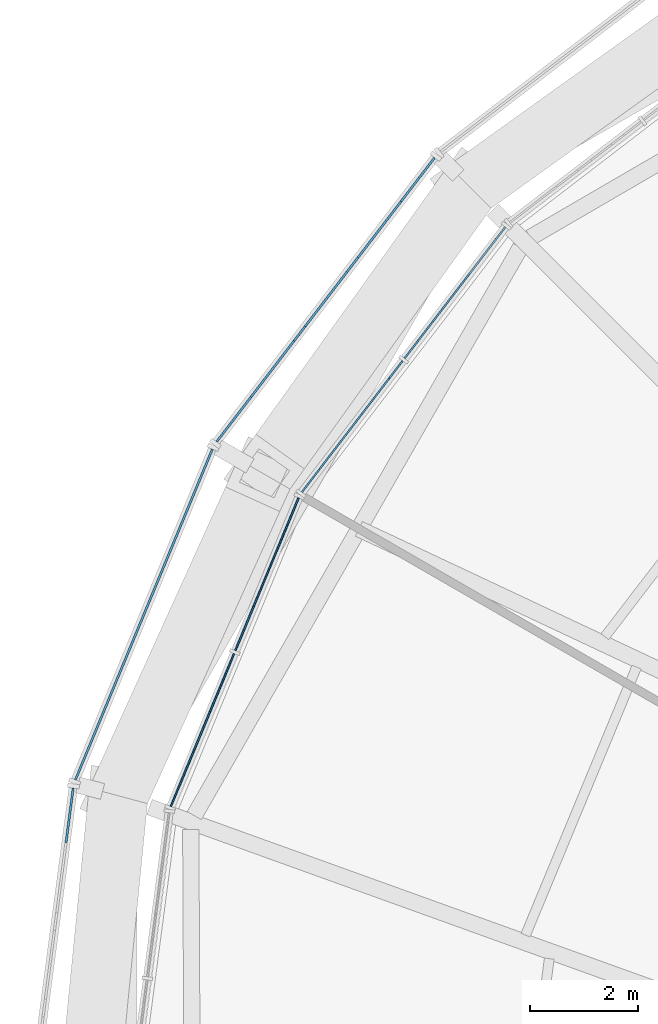
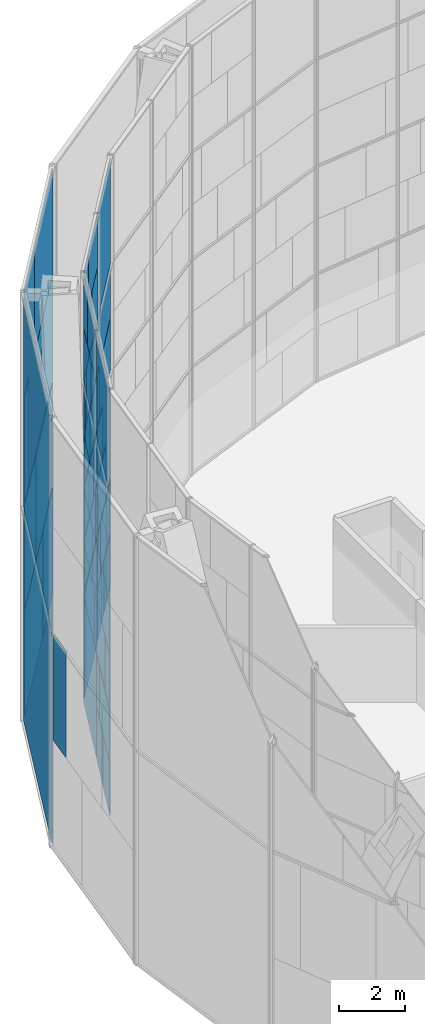
# One storey, part 21 of 30: 63 plates, 5 elements without a shape of their own.
"""IFC4 building model written with IfcOpenShell, lengths in metres."""

from ifc_helpers import new_model, si_unit, direction, frame, origin, origin_2d, place, context, subcontext, project, spatial, rectangle, extrude, material, layer, layer_set, type_object, element, aggregate, save


model = new_model("IFC4")

# Units and contexts
model_context = context("Model", 3, precision=1e-05, world=origin(), true_north=direction((0.0, 1.0)))
body_context = subcontext(model_context, "Body", "Model", "MODEL_VIEW")
ifc_project = project(units=[si_unit("LENGTHUNIT", "METRE"), si_unit("AREAUNIT", "SQUARE_METRE"), si_unit("VOLUMEUNIT", "CUBIC_METRE"), si_unit("PLANEANGLEUNIT", "RADIAN"), si_unit("MASSUNIT", "GRAM", prefix="KILO")], contexts=[model_context])

# Site, building, storey
site_placement = place(None, origin())
site = spatial("IfcSite", under=ifc_project, at=site_placement, CompositionType="ELEMENT")
building_placement = place(site_placement, origin())
building = spatial("IfcBuilding", under=site, at=building_placement, Name="Golbaran Civic Tower", CompositionType="ELEMENT")
storey_placement = place(building_placement, frame((0.0, 0.0, 167.0)))
storey = spatial("IfcBuildingStorey", under=building, at=storey_placement, Name="L40", CompositionType="ELEMENT", Elevation=167.0)

# Curtain wall, plates
ifc_material_1 = material(Name="Aluminium and glass", Category="aluminium")
curtain_wall_type_1 = type_object("IfcCurtainWallType", Name="INNER SKIN CURTAIN WALL EXECUTIVE", PredefinedType="NOTDEFINED", material=ifc_material_1)
curtain_wall_1_placement = place(storey_placement, origin())
curtain_wall_1 = element("IfcCurtainWall", 1, at=curtain_wall_1_placement, inside=storey, type_object=curtain_wall_type_1, Name="Inner skin L40 facet 10 CW2", ObjectType="INNER SKIN", PredefinedType="USERDEFINED")
ifc_material_2 = material(Name="Clear insulating glass", Category="glass")
ifc_layer_1 = layer(ifc_material_2, 0.031982421875, Name="Clear insulating glass")
ifc_layer_set_1 = layer_set([ifc_layer_1], Name="Clear insulating glass")
plate_type_1 = type_object("IfcPlateType", Name="INNER SKIN CURTAIN WALL EXECUTIVE GLAZED PANEL", PredefinedType="CURTAIN_PANEL", material=ifc_layer_set_1)
plate_1_placement = place(storey_placement, frame((-18.474365234375, 15.14599609375, 0.06005859375), z_axis=(0.0, 0.0, 1.0), x_axis=(-0.608761429036, -0.79335334027, 0.0)))
plate_1 = element("IfcPlate", 2, at=plate_1_placement, type_object=plate_type_1, Name="CW2 panel 1.1 part 2", PredefinedType="CURTAIN_PANEL", context=body_context, shape_type="SweptSolid", body=[
    extrude(rectangle(XDim=1.4794921875, YDim=0.031982421875, at=origin_2d()), origin(), (0.0, 0.0, 1.0), 1.955078125),
])
plate_2_placement = place(storey_placement, frame((-18.716552734375, 14.830322265625, 2.014892578125), z_axis=(0.0, 0.0, 1.0), x_axis=(-0.608761429036, -0.79335334027, 0.0)))
plate_2 = element("IfcPlate", 3, at=plate_2_placement, type_object=plate_type_1, Name="CW2 panel 1.1 part 4", PredefinedType="CURTAIN_PANEL", context=body_context, shape_type="SweptSolid", body=[
    extrude(rectangle(XDim=0.683349609375, YDim=0.031982421875, at=origin_2d()), origin(), (0.0, 0.0, 1.0), 1.955078125),
])
plate_3_placement = place(storey_placement, frame((-17.873046875, 15.9296875, 8.02978515625), z_axis=(0.0, 0.0, 1.0), x_axis=(-0.608761429036, -0.79335334027, 0.0)))
plate_3 = element("IfcPlate", 4, at=plate_3_placement, type_object=plate_type_1, Name="CW2 panel 1.3 part 1", PredefinedType="CURTAIN_PANEL", context=body_context, shape_type="SweptSolid", body=[
    extrude(rectangle(XDim=2.652099609375, YDim=0.031982421875, at=origin_2d()), origin(), (0.0, 0.0, 1.0), 1.969970703125),
])
plate_4_placement = place(storey_placement, frame((-17.9951171875, 15.7705078125, 10.0), z_axis=(0.0, 0.0, 1.0), x_axis=(-0.608761429036, -0.79335334027, 0.0)))
plate_4 = element("IfcPlate", 5, at=plate_4_placement, type_object=plate_type_1, Name="CW2 panel 1.3 part 3", PredefinedType="CURTAIN_PANEL", context=body_context, shape_type="SweptSolid", body=[
    extrude(rectangle(XDim=3.053466796875, YDim=0.031982421875, at=origin_2d()), origin(), (0.0, 0.0, 1.0), 1.969970703125),
])
plate_5_placement = place(storey_placement, frame((-17.9951171875, 15.7705078125, 12.0302734375), z_axis=(0.0, 0.0, 1.0), x_axis=(-0.608761429036, -0.79335334027, 0.0)))
plate_5 = element("IfcPlate", 6, at=plate_5_placement, type_object=plate_type_1, Name="CW2 panel 1.4", PredefinedType="CURTAIN_PANEL", context=body_context, shape_type="SweptSolid", body=[
    extrude(rectangle(XDim=3.053466796875, YDim=0.031982421875, at=origin_2d()), origin(), (0.0, 0.0, 1.0), 3.909912109375),
])
plate_6_placement = place(storey_placement, frame((-19.890625, 13.30029296875, 0.06005859375), z_axis=(0.0, 0.0, 1.0), x_axis=(-0.608761429036, -0.79335334027, 0.0)))
plate_6 = element("IfcPlate", 7, at=plate_6_placement, type_object=plate_type_1, Name="CW2 panel 2.1", PredefinedType="CURTAIN_PANEL", context=body_context, shape_type="SweptSolid", body=[
    extrude(rectangle(XDim=3.053466796875, YDim=0.031982421875, at=origin_2d()), origin(), (0.0, 0.0, 1.0), 3.909912109375),
])
plate_7_placement = place(storey_placement, frame((-20.0126953125, 13.141357421875, 4.02978515625), z_axis=(0.0, 0.0, 1.0), x_axis=(-0.608761429036, -0.79335334027, 0.0)))
plate_7 = element("IfcPlate", 8, at=plate_7_placement, type_object=plate_type_1, Name="CW2 panel 2.2 part 2", PredefinedType="CURTAIN_PANEL", context=body_context, shape_type="SweptSolid", body=[
    extrude(rectangle(XDim=2.65234375, YDim=0.031982421875, at=origin_2d()), origin(), (0.0, 0.0, 1.0), 1.969970703125),
])
plate_8_placement = place(storey_placement, frame((-20.159912109375, 12.94921875, 6.0), z_axis=(0.0, 0.0, 1.0), x_axis=(-0.608761429036, -0.79335334027, 0.0)))
plate_8 = element("IfcPlate", 9, at=plate_8_placement, type_object=plate_type_1, Name="CW2 panel 2.2 part 4", PredefinedType="CURTAIN_PANEL", context=body_context, shape_type="SweptSolid", body=[
    extrude(rectangle(XDim=2.16845703125, YDim=0.031982421875, at=origin_2d()), origin(), (0.0, 0.0, 1.0), 1.969970703125),
])
plate_9_placement = place(storey_placement, frame((-20.411376953125, 12.62158203125, 8.02978515625), z_axis=(0.0, 0.0, 1.0), x_axis=(-0.608761429036, -0.79335334027, 0.0)))
plate_9 = element("IfcPlate", 10, at=plate_9_placement, type_object=plate_type_1, Name="CW2 panel 2.3 part 2", PredefinedType="CURTAIN_PANEL", context=body_context, shape_type="SweptSolid", body=[
    extrude(rectangle(XDim=1.342529296875, YDim=0.031982421875, at=origin_2d()), origin(), (0.0, 0.0, 1.0), 1.969970703125),
])
plate_10_placement = place(storey_placement, frame((-19.0849609375, 14.35009765625, 10.0), z_axis=(0.0, 0.0, 1.0), x_axis=(-0.608761429036, -0.79335334027, 0.0)))
plate_10 = element("IfcPlate", 11, at=plate_10_placement, type_object=plate_type_1, Name="CW2 panel 2.3 part 3", PredefinedType="CURTAIN_PANEL", context=body_context, shape_type="SweptSolid", body=[
    extrude(rectangle(XDim=0.406982421875, YDim=0.031982421875, at=origin_2d()), origin(), (0.0, 0.0, 1.0), 1.969970703125),
])
plate_11_placement = place(storey_placement, frame((-20.65576171875, 12.302978515625, 10.0), z_axis=(0.0, 0.0, 1.0), x_axis=(-0.608761429036, -0.79335334027, 0.0)))
plate_11 = element("IfcPlate", 12, at=plate_11_placement, type_object=plate_type_1, Name="CW2 panel 2.3 part 5", PredefinedType="CURTAIN_PANEL", context=body_context, shape_type="SweptSolid", body=[
    extrude(rectangle(XDim=0.53955078125, YDim=0.031982421875, at=origin_2d()), origin(), (0.0, 0.0, 1.0), 1.969970703125),
])
plate_12_placement = place(storey_placement, frame((-19.336669921875, 14.02197265625, 12.030029296875), z_axis=(0.0, 0.0, 1.0), x_axis=(-0.608761429036, -0.79335334027, 0.0)))
plate_12 = element("IfcPlate", 13, at=plate_12_placement, type_object=plate_type_1, Name="CW2 panel 2.4 part 1", PredefinedType="CURTAIN_PANEL", context=body_context, shape_type="SweptSolid", body=[
    extrude(rectangle(XDim=1.23388671875, YDim=0.031982421875, at=origin_2d()), origin(), (0.0, 0.0, 1.0), 1.955078125),
])
plate_13_placement = place(storey_placement, frame((-19.5791015625, 13.706298828125, 13.98486328125), z_axis=(0.0, 0.0, 1.0), x_axis=(-0.608761429036, -0.79335334027, 0.0)))
plate_13 = element("IfcPlate", 14, at=plate_13_placement, type_object=plate_type_1, Name="CW2 panel 2.4 part 3", PredefinedType="CURTAIN_PANEL", context=body_context, shape_type="SweptSolid", body=[
    extrude(rectangle(XDim=2.030029296875, YDim=0.031982421875, at=origin_2d()), origin(), (0.0, 0.0, 1.0), 1.955078125),
])

curtain_wall_2_placement = place(storey_placement, origin())
curtain_wall_2 = element("IfcCurtainWall", 15, at=curtain_wall_2_placement, inside=storey, type_object=curtain_wall_type_1, Name="Inner skin L40 facet 11 CW2", ObjectType="INNER SKIN", PredefinedType="USERDEFINED")
plate_14_placement = place(storey_placement, frame((-21.463623046875, 10.575439453125, 0.06005859375), z_axis=(0.0, 0.0, 1.0), x_axis=(-0.382683432462, -0.923879532471, 0.0)))
plate_14 = element("IfcPlate", 16, at=plate_14_placement, type_object=plate_type_1, Name="CW2 panel 1.1", PredefinedType="CURTAIN_PANEL", context=body_context, shape_type="SweptSolid", body=[
    extrude(rectangle(XDim=3.053466796875, YDim=0.031982421875, at=origin_2d()), origin(), (0.0, 0.0, 1.0), 3.909912109375),
])
plate_15_placement = place(storey_placement, frame((-21.386962890625, 10.760986328125, 4.02978515625), z_axis=(0.0, 0.0, 1.0), x_axis=(-0.382683432462, -0.923879532471, 0.0)))
plate_15 = element("IfcPlate", 17, at=plate_15_placement, type_object=plate_type_1, Name="CW2 panel 1.2 part 1", PredefinedType="CURTAIN_PANEL", context=body_context, shape_type="SweptSolid", body=[
    extrude(rectangle(XDim=2.652099609375, YDim=0.031982421875, at=origin_2d()), origin(), (0.0, 0.0, 1.0), 1.969970703125),
])
plate_16_placement = place(storey_placement, frame((-21.29443359375, 10.984130859375, 6.0), z_axis=(0.0, 0.0, 1.0), x_axis=(-0.382683432462, -0.923879532471, 0.0)))
plate_16 = element("IfcPlate", 18, at=plate_16_placement, type_object=plate_type_1, Name="CW2 panel 1.2 part 3", PredefinedType="CURTAIN_PANEL", context=body_context, shape_type="SweptSolid", body=[
    extrude(rectangle(XDim=2.1689453125, YDim=0.031982421875, at=origin_2d()), origin(), (0.0, 0.0, 1.0), 1.969970703125),
])
plate_17_placement = place(storey_placement, frame((-21.13623046875, 11.3662109375, 8.02978515625), z_axis=(0.0, 0.0, 1.0), x_axis=(-0.382683432462, -0.923879532471, 0.0)))
plate_17 = element("IfcPlate", 19, at=plate_17_placement, type_object=plate_type_1, Name="CW2 panel 1.3 part 1", PredefinedType="CURTAIN_PANEL", context=body_context, shape_type="SweptSolid", body=[
    extrude(rectangle(XDim=1.342041015625, YDim=0.031982421875, at=origin_2d()), origin(), (0.0, 0.0, 1.0), 1.969970703125),
])
plate_18_placement = place(storey_placement, frame((-20.982666015625, 11.736572265625, 10.0), z_axis=(0.0, 0.0, 1.0), x_axis=(-0.382683432462, -0.923879532471, 0.0)))
plate_18 = element("IfcPlate", 20, at=plate_18_placement, type_object=plate_type_1, Name="CW2 panel 1.3 part 3", PredefinedType="CURTAIN_PANEL", context=body_context, shape_type="SweptSolid", body=[
    extrude(rectangle(XDim=0.5400390625, YDim=0.031982421875, at=origin_2d()), origin(), (0.0, 0.0, 1.0), 1.969970703125),
])
plate_19_placement = place(storey_placement, frame((-21.969970703125, 9.353271484375, 10.0), z_axis=(0.0, 0.0, 1.0), x_axis=(-0.382683432462, -0.923879532471, 0.0)))
plate_19 = element("IfcPlate", 21, at=plate_19_placement, type_object=plate_type_1, Name="CW2 panel 1.3 part 5", PredefinedType="CURTAIN_PANEL", context=body_context, shape_type="SweptSolid", body=[
    extrude(rectangle(XDim=0.407470703125, YDim=0.031982421875, at=origin_2d()), origin(), (0.0, 0.0, 1.0), 1.969970703125),
])
plate_20_placement = place(storey_placement, frame((-21.81201171875, 9.73486328125, 12.030029296875), z_axis=(0.0, 0.0, 1.0), x_axis=(-0.382683432462, -0.923879532471, 0.0)))
plate_20 = element("IfcPlate", 22, at=plate_20_placement, type_object=plate_type_1, Name="CW2 panel 1.4 part 2", PredefinedType="CURTAIN_PANEL", context=body_context, shape_type="SweptSolid", body=[
    extrude(rectangle(XDim=1.2333984375, YDim=0.031982421875, at=origin_2d()), origin(), (0.0, 0.0, 1.0), 1.955078125),
])
plate_21_placement = place(storey_placement, frame((-21.65966796875, 10.1025390625, 13.98486328125), z_axis=(0.0, 0.0, 1.0), x_axis=(-0.382683432462, -0.923879532471, 0.0)))
plate_21 = element("IfcPlate", 23, at=plate_21_placement, type_object=plate_type_1, Name="CW2 panel 1.4 part 4", PredefinedType="CURTAIN_PANEL", context=body_context, shape_type="SweptSolid", body=[
    extrude(rectangle(XDim=2.029541015625, YDim=0.031982421875, at=origin_2d()), origin(), (0.0, 0.0, 1.0), 1.955078125),
])
plate_22_placement = place(storey_placement, frame((-22.35400390625, 8.426025390625, 0.06005859375), z_axis=(0.0, 0.0, 1.0), x_axis=(-0.382683432462, -0.923879532471, 0.0)))
plate_22 = element("IfcPlate", 24, at=plate_22_placement, type_object=plate_type_1, Name="CW2 panel 2.1 part 1", PredefinedType="CURTAIN_PANEL", context=body_context, shape_type="SweptSolid", body=[
    extrude(rectangle(XDim=1.47998046875, YDim=0.031982421875, at=origin_2d()), origin(), (0.0, 0.0, 1.0), 1.955078125),
])
plate_23_placement = place(storey_placement, frame((-22.201904296875, 8.793701171875, 2.014892578125), z_axis=(0.0, 0.0, 1.0), x_axis=(-0.382683432462, -0.923879532471, 0.0)))
plate_23 = element("IfcPlate", 25, at=plate_23_placement, type_object=plate_type_1, Name="CW2 panel 2.1 part 3", PredefinedType="CURTAIN_PANEL", context=body_context, shape_type="SweptSolid", body=[
    extrude(rectangle(XDim=0.68408203125, YDim=0.031982421875, at=origin_2d()), origin(), (0.0, 0.0, 1.0), 1.955078125),
])
plate_24_placement = place(storey_placement, frame((-23.031005859375, 6.791748046875, 4.02978515625), z_axis=(0.0, 0.0, 1.0), x_axis=(-0.382683432462, -0.923879532471, 0.0)))
plate_24 = element("IfcPlate", 26, at=plate_24_placement, type_object=plate_type_1, Name="CW2 panel 2.2 part 2", PredefinedType="CURTAIN_PANEL", context=body_context, shape_type="SweptSolid", body=[
    extrude(rectangle(XDim=1.08935546875, YDim=0.031982421875, at=origin_2d()), origin(), (0.0, 0.0, 1.0), 1.969970703125),
])
plate_25_placement = place(storey_placement, frame((-22.87744140625, 7.162841796875, 6.0), z_axis=(0.0, 0.0, 1.0), x_axis=(-0.382683432462, -0.923879532471, 0.0)))
plate_25 = element("IfcPlate", 27, at=plate_25_placement, type_object=plate_type_1, Name="CW2 panel 2.2 part 4", PredefinedType="CURTAIN_PANEL", context=body_context, shape_type="SweptSolid", body=[
    extrude(rectangle(XDim=1.892578125, YDim=0.031982421875, at=origin_2d()), origin(), (0.0, 0.0, 1.0), 1.969970703125),
])
plate_26_placement = place(storey_placement, frame((-22.73193359375, 7.513916015625, 8.02978515625), z_axis=(0.0, 0.0, 1.0), x_axis=(-0.382683432462, -0.923879532471, 0.0)))
plate_26 = element("IfcPlate", 28, at=plate_26_placement, type_object=plate_type_1, Name="CW2 panel 2.3 part 2", PredefinedType="CURTAIN_PANEL", context=body_context, shape_type="SweptSolid", body=[
    extrude(rectangle(XDim=2.65234375, YDim=0.031982421875, at=origin_2d()), origin(), (0.0, 0.0, 1.0), 1.969970703125),
])
plate_27_placement = place(storey_placement, frame((-22.6552734375, 7.698974609375, 10.0), z_axis=(0.0, 0.0, 1.0), x_axis=(-0.382683432462, -0.923879532471, 0.0)))
plate_27 = element("IfcPlate", 29, at=plate_27_placement, type_object=plate_type_1, Name="CW2 panel 2.3 part 3", PredefinedType="CURTAIN_PANEL", context=body_context, shape_type="SweptSolid", body=[
    extrude(rectangle(XDim=3.053466796875, YDim=0.031982421875, at=origin_2d()), origin(), (0.0, 0.0, 1.0), 1.969970703125),
])
plate_28_placement = place(storey_placement, frame((-22.6552734375, 7.698974609375, 12.0302734375), z_axis=(0.0, 0.0, 1.0), x_axis=(-0.382683432462, -0.923879532471, 0.0)))
plate_28 = element("IfcPlate", 30, at=plate_28_placement, type_object=plate_type_1, Name="CW2 panel 2.4", PredefinedType="CURTAIN_PANEL", context=body_context, shape_type="SweptSolid", body=[
    extrude(rectangle(XDim=3.053466796875, YDim=0.031982421875, at=origin_2d()), origin(), (0.0, 0.0, 1.0), 3.909912109375),
])

# Plate
ifc_material_3 = material(Name="Aluminium faced opaque infill panel", Category="aluminium")
ifc_layer_2 = layer(ifc_material_3, 0.031982421875, Name="Aluminium faced opaque infill panel")
ifc_layer_set_2 = layer_set([ifc_layer_2], Name="Aluminium faced opaque infill panel")
plate_type_2 = type_object("IfcPlateType", Name="INNER SKIN CURTAIN WALL EXECUTIVE OPAQUE INFILL PANEL", PredefinedType="CURTAIN_PANEL", material=ifc_layer_set_2)
plate_29_placement = place(storey_placement, frame((-17.544921875, 16.357177734375, 0.06005859375), z_axis=(0.0, 0.0, 1.0), x_axis=(-0.608761429036, -0.79335334027, 0.0)))
plate_29 = element("IfcPlate", 31, at=plate_29_placement, type_object=plate_type_2, Name="CW2 infill panel 1.1 part 1", PredefinedType="CURTAIN_PANEL", context=body_context, shape_type="SweptSolid", body=[
    extrude(rectangle(XDim=1.573974609375, YDim=0.031982421875, at=origin_2d()), origin(), (0.0, 0.0, 1.0), 1.955078125),
])

plate_30_placement = place(storey_placement, frame((-17.787109375, 16.04150390625, 2.014892578125), z_axis=(0.0, 0.0, 1.0), x_axis=(-0.608761429036, -0.79335334027, 0.0)))
plate_30 = element("IfcPlate", 32, at=plate_30_placement, type_object=plate_type_2, Name="CW2 infill panel 1.1 part 3", PredefinedType="CURTAIN_PANEL", context=body_context, shape_type="SweptSolid", body=[
    extrude(rectangle(XDim=2.3701171875, YDim=0.031982421875, at=origin_2d()), origin(), (0.0, 0.0, 1.0), 1.955078125),
])

plate_31_placement = place(storey_placement, frame((-18.326904296875, 15.338134765625, 4.02978515625), z_axis=(0.0, 0.0, 1.0), x_axis=(-0.608761429036, -0.79335334027, 0.0)))
plate_31 = element("IfcPlate", 33, at=plate_31_placement, type_object=plate_type_2, Name="CW2 infill panel 1.2 part 2", PredefinedType="CURTAIN_PANEL", context=body_context, shape_type="SweptSolid", body=[
    extrude(rectangle(XDim=1.96337890625, YDim=0.031982421875, at=origin_2d()), origin(), (0.0, 0.0, 1.0), 1.969970703125),
])

plate_32_placement = place(storey_placement, frame((-18.571044921875, 15.02001953125, 6.0), z_axis=(0.0, 0.0, 1.0), x_axis=(-0.608761429036, -0.79335334027, 0.0)))
plate_32 = element("IfcPlate", 34, at=plate_32_placement, type_object=plate_type_2, Name="CW2 infill panel 1.2 part 4", PredefinedType="CURTAIN_PANEL", context=body_context, shape_type="SweptSolid", body=[
    extrude(rectangle(XDim=1.161376953125, YDim=0.031982421875, at=origin_2d()), origin(), (0.0, 0.0, 1.0), 1.969970703125),
])

plate_33_placement = place(storey_placement, frame((-18.802490234375, 14.718505859375, 8.02978515625), z_axis=(0.0, 0.0, 1.0), x_axis=(-0.608761429036, -0.79335334027, 0.0)))
plate_33 = element("IfcPlate", 35, at=plate_33_placement, type_object=plate_type_2, Name="CW2 infill panel 1.3 part 2", PredefinedType="CURTAIN_PANEL", context=body_context, shape_type="SweptSolid", body=[
    extrude(rectangle(XDim=0.4013671875, YDim=0.031982421875, at=origin_2d()), origin(), (0.0, 0.0, 1.0), 1.969970703125),
])

plate_34_placement = place(storey_placement, frame((-19.083251953125, 14.3525390625, 4.02978515625), z_axis=(0.0, 0.0, 1.0), x_axis=(-0.608761429036, -0.79335334027, 0.0)))
plate_34 = element("IfcPlate", 36, at=plate_34_placement, type_object=plate_type_2, Name="CW2 infill panel 2.2 part 1", PredefinedType="CURTAIN_PANEL", context=body_context, shape_type="SweptSolid", body=[
    extrude(rectangle(XDim=0.40087890625, YDim=0.031982421875, at=origin_2d()), origin(), (0.0, 0.0, 1.0), 1.969970703125),
])

plate_35_placement = place(storey_placement, frame((-19.23046875, 14.160400390625, 6.0), z_axis=(0.0, 0.0, 1.0), x_axis=(-0.608761429036, -0.79335334027, 0.0)))
plate_35 = element("IfcPlate", 37, at=plate_35_placement, type_object=plate_type_2, Name="CW2 infill panel 2.2 part 3", PredefinedType="CURTAIN_PANEL", context=body_context, shape_type="SweptSolid", body=[
    extrude(rectangle(XDim=0.885009765625, YDim=0.031982421875, at=origin_2d()), origin(), (0.0, 0.0, 1.0), 1.969970703125),
])

plate_36_placement = place(storey_placement, frame((-19.48193359375, 13.832763671875, 8.02978515625), z_axis=(0.0, 0.0, 1.0), x_axis=(-0.608761429036, -0.79335334027, 0.0)))
plate_36 = element("IfcPlate", 38, at=plate_36_placement, type_object=plate_type_2, Name="CW2 infill panel 2.3 part 1", PredefinedType="CURTAIN_PANEL", context=body_context, shape_type="SweptSolid", body=[
    extrude(rectangle(XDim=1.7109375, YDim=0.031982421875, at=origin_2d()), origin(), (0.0, 0.0, 1.0), 1.969970703125),
])

plate_37_placement = place(storey_placement, frame((-19.850341796875, 13.352783203125, 10.0), z_axis=(0.0, 0.0, 1.0), x_axis=(-0.608761429036, -0.79335334027, 0.0)))
plate_37 = element("IfcPlate", 39, at=plate_37_placement, type_object=plate_type_2, Name="CW2 infill panel 2.3 part 4", PredefinedType="CURTAIN_PANEL", context=body_context, shape_type="SweptSolid", body=[
    extrude(rectangle(XDim=2.10693359375, YDim=0.031982421875, at=origin_2d()), origin(), (0.0, 0.0, 1.0), 1.969970703125),
])

plate_38_placement = place(storey_placement, frame((-20.26611328125, 12.810791015625, 12.030029296875), z_axis=(0.0, 0.0, 1.0), x_axis=(-0.608761429036, -0.79335334027, 0.0)))
plate_38 = element("IfcPlate", 40, at=plate_38_placement, type_object=plate_type_2, Name="CW2 infill panel 2.4 part 2", PredefinedType="CURTAIN_PANEL", context=body_context, shape_type="SweptSolid", body=[
    extrude(rectangle(XDim=1.819580078125, YDim=0.031982421875, at=origin_2d()), origin(), (0.0, 0.0, 1.0), 1.955078125),
])

plate_39_placement = place(storey_placement, frame((-20.508544921875, 12.4951171875, 13.98486328125), z_axis=(0.0, 0.0, 1.0), x_axis=(-0.608761429036, -0.79335334027, 0.0)))
plate_39 = element("IfcPlate", 41, at=plate_39_placement, type_object=plate_type_2, Name="CW2 infill panel 2.4 part 4", PredefinedType="CURTAIN_PANEL", context=body_context, shape_type="SweptSolid", body=[
    extrude(rectangle(XDim=1.0234375, YDim=0.031982421875, at=origin_2d()), origin(), (0.0, 0.0, 1.0), 1.955078125),
])

aggregate(curtain_wall_1, [plate_29, plate_1, plate_30, plate_2, plate_31, plate_32, plate_3, plate_33, plate_4, plate_5, plate_6, plate_34, plate_7, plate_35, plate_8, plate_36, plate_9, plate_10, plate_37, plate_11, plate_12, plate_38, plate_13, plate_39])

plate_40_placement = place(storey_placement, frame((-21.97119140625, 9.3505859375, 4.02978515625), z_axis=(0.0, 0.0, 1.0), x_axis=(-0.382683432462, -0.923879532471, 0.0)))
plate_40 = element("IfcPlate", 42, at=plate_40_placement, type_object=plate_type_2, Name="CW2 infill panel 1.2 part 2", PredefinedType="CURTAIN_PANEL", context=body_context, shape_type="SweptSolid", body=[
    extrude(rectangle(XDim=0.4013671875, YDim=0.031982421875, at=origin_2d()), origin(), (0.0, 0.0, 1.0), 1.969970703125),
])

plate_41_placement = place(storey_placement, frame((-21.878662109375, 9.573486328125, 6.0), z_axis=(0.0, 0.0, 1.0), x_axis=(-0.382683432462, -0.923879532471, 0.0)))
plate_41 = element("IfcPlate", 43, at=plate_41_placement, type_object=plate_type_2, Name="CW2 infill panel 1.2 part 4", PredefinedType="CURTAIN_PANEL", context=body_context, shape_type="SweptSolid", body=[
    extrude(rectangle(XDim=0.884521484375, YDim=0.031982421875, at=origin_2d()), origin(), (0.0, 0.0, 1.0), 1.969970703125),
])

plate_42_placement = place(storey_placement, frame((-21.720458984375, 9.95556640625, 8.02978515625), z_axis=(0.0, 0.0, 1.0), x_axis=(-0.382683432462, -0.923879532471, 0.0)))
plate_42 = element("IfcPlate", 44, at=plate_42_placement, type_object=plate_type_2, Name="CW2 infill panel 1.3 part 2", PredefinedType="CURTAIN_PANEL", context=body_context, shape_type="SweptSolid", body=[
    extrude(rectangle(XDim=1.71142578125, YDim=0.031982421875, at=origin_2d()), origin(), (0.0, 0.0, 1.0), 1.969970703125),
])

plate_43_placement = place(storey_placement, frame((-21.489013671875, 10.514404296875, 10.0), z_axis=(0.0, 0.0, 1.0), x_axis=(-0.382683432462, -0.923879532471, 0.0)))
plate_43 = element("IfcPlate", 45, at=plate_43_placement, type_object=plate_type_2, Name="CW2 infill panel 1.3 part 4", PredefinedType="CURTAIN_PANEL", context=body_context, shape_type="SweptSolid", body=[
    extrude(rectangle(XDim=2.10595703125, YDim=0.031982421875, at=origin_2d()), origin(), (0.0, 0.0, 1.0), 1.969970703125),
])

plate_44_placement = place(storey_placement, frame((-21.227783203125, 11.145263671875, 12.030029296875), z_axis=(0.0, 0.0, 1.0), x_axis=(-0.382683432462, -0.923879532471, 0.0)))
plate_44 = element("IfcPlate", 46, at=plate_44_placement, type_object=plate_type_2, Name="CW2 infill panel 1.4 part 1", PredefinedType="CURTAIN_PANEL", context=body_context, shape_type="SweptSolid", body=[
    extrude(rectangle(XDim=1.820068359375, YDim=0.031982421875, at=origin_2d()), origin(), (0.0, 0.0, 1.0), 1.955078125),
])

plate_45_placement = place(storey_placement, frame((-21.075439453125, 11.512939453125, 13.98486328125), z_axis=(0.0, 0.0, 1.0), x_axis=(-0.382683432462, -0.923879532471, 0.0)))
plate_45 = element("IfcPlate", 47, at=plate_45_placement, type_object=plate_type_2, Name="CW2 infill panel 1.4 part 3", PredefinedType="CURTAIN_PANEL", context=body_context, shape_type="SweptSolid", body=[
    extrude(rectangle(XDim=1.02392578125, YDim=0.031982421875, at=origin_2d()), origin(), (0.0, 0.0, 1.0), 1.955078125),
])

plate_46_placement = place(storey_placement, frame((-22.9384765625, 7.015380859375, 0.06005859375), z_axis=(0.0, 0.0, 1.0), x_axis=(-0.382683432462, -0.923879532471, 0.0)))
plate_46 = element("IfcPlate", 48, at=plate_46_placement, type_object=plate_type_2, Name="CW2 infill panel 2.1 part 2", PredefinedType="CURTAIN_PANEL", context=body_context, shape_type="SweptSolid", body=[
    extrude(rectangle(XDim=1.573486328125, YDim=0.031982421875, at=origin_2d()), origin(), (0.0, 0.0, 1.0), 1.955078125),
])

plate_47_placement = place(storey_placement, frame((-22.7861328125, 7.383056640625, 2.014892578125), z_axis=(0.0, 0.0, 1.0), x_axis=(-0.382683432462, -0.923879532471, 0.0)))
plate_47 = element("IfcPlate", 49, at=plate_47_placement, type_object=plate_type_2, Name="CW2 infill panel 2.1 part 4", PredefinedType="CURTAIN_PANEL", context=body_context, shape_type="SweptSolid", body=[
    extrude(rectangle(XDim=2.369384765625, YDim=0.031982421875, at=origin_2d()), origin(), (0.0, 0.0, 1.0), 1.955078125),
])

plate_48_placement = place(storey_placement, frame((-22.44677734375, 8.202392578125, 4.02978515625), z_axis=(0.0, 0.0, 1.0), x_axis=(-0.382683432462, -0.923879532471, 0.0)))
plate_48 = element("IfcPlate", 50, at=plate_48_placement, type_object=plate_type_2, Name="CW2 infill panel 2.2 part 1", PredefinedType="CURTAIN_PANEL", context=body_context, shape_type="SweptSolid", body=[
    extrude(rectangle(XDim=1.964111328125, YDim=0.031982421875, at=origin_2d()), origin(), (0.0, 0.0, 1.0), 1.969970703125),
])

plate_49_placement = place(storey_placement, frame((-22.29296875, 8.5732421875, 6.0), z_axis=(0.0, 0.0, 1.0), x_axis=(-0.382683432462, -0.923879532471, 0.0)))
plate_49 = element("IfcPlate", 51, at=plate_49_placement, type_object=plate_type_2, Name="CW2 infill panel 2.2 part 3", PredefinedType="CURTAIN_PANEL", context=body_context, shape_type="SweptSolid", body=[
    extrude(rectangle(XDim=1.160888671875, YDim=0.031982421875, at=origin_2d()), origin(), (0.0, 0.0, 1.0), 1.969970703125),
])

plate_50_placement = place(storey_placement, frame((-22.147705078125, 8.92431640625, 8.02978515625), z_axis=(0.0, 0.0, 1.0), x_axis=(-0.382683432462, -0.923879532471, 0.0)))
plate_50 = element("IfcPlate", 52, at=plate_50_placement, type_object=plate_type_2, Name="CW2 infill panel 2.3 part 1", PredefinedType="CURTAIN_PANEL", context=body_context, shape_type="SweptSolid", body=[
    extrude(rectangle(XDim=0.40087890625, YDim=0.031982421875, at=origin_2d()), origin(), (0.0, 0.0, 1.0), 1.969970703125),
])

aggregate(curtain_wall_2, [plate_14, plate_15, plate_40, plate_16, plate_41, plate_17, plate_42, plate_18, plate_43, plate_19, plate_44, plate_20, plate_45, plate_21, plate_22, plate_46, plate_23, plate_47, plate_48, plate_24, plate_49, plate_25, plate_50, plate_26, plate_27, plate_28])

# Curtain wall, plates
curtain_wall_type_2 = type_object("IfcCurtainWallType", Name="OUTER SKIN TERRACOTTA SCREEN", PredefinedType="NOTDEFINED", material=ifc_material_1)
curtain_wall_3_placement = place(storey_placement, origin())
curtain_wall_3 = element("IfcCurtainWall", 53, at=curtain_wall_3_placement, inside=storey, type_object=curtain_wall_type_2, Name="Outer skin L40 facet 10 CW3", ObjectType="OUTER SKIN", PredefinedType="USERDEFINED")
ifc_material_4 = material(Name="Clear laminated glass", Category="glass")
ifc_layer_3 = layer(ifc_material_4, 0.0400390625, Name="Clear laminated glass")
ifc_layer_set_3 = layer_set([ifc_layer_3], Name="Clear laminated glass")
plate_type_3 = type_object("IfcPlateType", Name="OUTER SKIN CLEAR GLASS PANEL", PredefinedType="CURTAIN_PANEL", material=ifc_layer_set_3)
plate_51_placement = place(storey_placement, frame((-21.08837890625, 14.719482421875, -0.6298828125), z_axis=(0.0, 0.0, 1.0), x_axis=(-0.608761428967, -0.793353340323, 0.0)))
plate_51 = element("IfcPlate", 54, at=plate_51_placement, type_object=plate_type_3, Name="CW3 panel 1.1 part 2", PredefinedType="CURTAIN_PANEL", context=body_context, shape_type="SweptSolid", body=[
    extrude(rectangle(XDim=4.28466796875, YDim=0.0400390625, at=origin_2d()), origin(), (0.0, 0.0, 1.0), 3.93994140625),
])
plate_52_placement = place(storey_placement, frame((-18.68115234375, 17.856689453125, 3.31005859375), z_axis=(0.0, 0.0, 1.0), x_axis=(-0.608761428967, -0.793353340323, 0.0)))
plate_52 = element("IfcPlate", 55, at=plate_52_placement, type_object=plate_type_3, Name="CW3 panel 1.1 part 3", PredefinedType="CURTAIN_PANEL", context=body_context, shape_type="SweptSolid", body=[
    extrude(rectangle(XDim=1.01611328125, YDim=0.0400390625, at=origin_2d()), origin(), (0.0, 0.0, 1.0), 3.93994140625),
])
plate_53_placement = place(storey_placement, frame((-21.57666015625, 14.083251953125, 3.31005859375), z_axis=(0.0, 0.0, 1.0), x_axis=(-0.608761428967, -0.793353340323, 0.0)))
plate_53 = element("IfcPlate", 56, at=plate_53_placement, type_object=plate_type_3, Name="CW3 panel 1.1 part 5", PredefinedType="CURTAIN_PANEL", context=body_context, shape_type="SweptSolid", body=[
    extrude(rectangle(XDim=2.6806640625, YDim=0.0400390625, at=origin_2d()), origin(), (0.0, 0.0, 1.0), 3.93994140625),
])
plate_54_placement = place(storey_placement, frame((-19.17919921875, 17.207763671875, 7.330078125), z_axis=(0.0, 0.0, 1.0), x_axis=(-0.608761428967, -0.793353340323, 0.0)))
plate_54 = element("IfcPlate", 57, at=plate_54_placement, type_object=plate_type_3, Name="CW3 panel 1.2 part 1", PredefinedType="CURTAIN_PANEL", context=body_context, shape_type="SweptSolid", body=[
    extrude(rectangle(XDim=2.652099609375, YDim=0.0400390625, at=origin_2d()), origin(), (0.0, 0.0, 1.0), 3.93994140625),
])
plate_55_placement = place(storey_placement, frame((-22.074951171875, 13.43408203125, 7.330078125), z_axis=(0.0, 0.0, 1.0), x_axis=(-0.608761428967, -0.793353340323, 0.0)))
plate_55 = element("IfcPlate", 58, at=plate_55_placement, type_object=plate_type_3, Name="CW3 panel 1.2 part 3", PredefinedType="CURTAIN_PANEL", context=body_context, shape_type="SweptSolid", body=[
    extrude(rectangle(XDim=1.043701171875, YDim=0.0400390625, at=origin_2d()), origin(), (0.0, 0.0, 1.0), 3.93994140625),
])
plate_56_placement = place(storey_placement, frame((-19.66796875, 16.57080078125, 11.27001953125), z_axis=(0.0, 0.0, 1.0), x_axis=(-0.608761428967, -0.793353340323, 0.0)))
plate_56 = element("IfcPlate", 59, at=plate_56_placement, type_object=plate_type_3, Name="CW3 panel 1.2 part 4", PredefinedType="CURTAIN_PANEL", context=body_context, shape_type="SweptSolid", body=[
    extrude(rectangle(XDim=4.258056640625, YDim=0.0400390625, at=origin_2d()), origin(), (0.0, 0.0, 1.0), 3.93994140625),
])

# Curtain wall, plate
curtain_wall_4_placement = place(storey_placement, origin())
curtain_wall_4 = element("IfcCurtainWall", 60, at=curtain_wall_4_placement, inside=storey, type_object=curtain_wall_type_2, Name="Outer skin L40 facet 12 CW3", ObjectType="OUTER SKIN", PredefinedType="USERDEFINED")
plate_57_placement = place(storey_placement, frame((-25.106689453125, 6.123779296875, 3.31005859375), z_axis=(0.0, 0.0, 1.0), x_axis=(-0.130526192168, -0.991444861381, 0.0)))
plate_57 = element("IfcPlate", 61, at=plate_57_placement, type_object=plate_type_3, Name="CW3 panel 1.1 part 3", PredefinedType="CURTAIN_PANEL", context=body_context, shape_type="SweptSolid", body=[
    extrude(rectangle(XDim=1.01611328125, YDim=0.0400390625, at=origin_2d()), origin(), (0.0, 0.0, 1.0), 3.93994140625),
])
aggregate(curtain_wall_4, [plate_57])

# Plate
ifc_material_5 = material(Name="Terracotta baguette screen", Category="masonry")
ifc_layer_4 = layer(ifc_material_5, 0.0400390625, Name="Terracotta baguette screen")
ifc_layer_set_4 = layer_set([ifc_layer_4], Name="Terracotta baguette screen")
plate_type_4 = type_object("IfcPlateType", Name="OUTER SKIN TERRACOTTA INFILL PANEL", PredefinedType="CURTAIN_PANEL", material=ifc_layer_set_4)
plate_58_placement = place(storey_placement, frame((-19.078125, 17.339599609375, -0.6298828125), z_axis=(0.0, 0.0, 1.0), x_axis=(-0.608761428967, -0.793353340323, 0.0)))
plate_58 = element("IfcPlate", 62, at=plate_58_placement, type_object=plate_type_4, Name="CW3 infill panel 1.1 part 1", PredefinedType="CURTAIN_PANEL", context=body_context, shape_type="SweptSolid", body=[
    extrude(rectangle(XDim=2.320068359375, YDim=0.0400390625, at=origin_2d()), origin(), (0.0, 0.0, 1.0), 3.93994140625),
])

plate_59_placement = place(storey_placement, frame((-19.87548828125, 16.30029296875, 3.31005859375), z_axis=(0.0, 0.0, 1.0), x_axis=(-0.608761428967, -0.793353340323, 0.0)))
plate_59 = element("IfcPlate", 63, at=plate_59_placement, type_object=plate_type_4, Name="CW3 infill panel 1.1 part 4", PredefinedType="CURTAIN_PANEL", context=body_context, shape_type="SweptSolid", body=[
    extrude(rectangle(XDim=2.907958984375, YDim=0.0400390625, at=origin_2d()), origin(), (0.0, 0.0, 1.0), 3.93994140625),
])

plate_60_placement = place(storey_placement, frame((-20.871826171875, 15.001953125, 7.330078125), z_axis=(0.0, 0.0, 1.0), x_axis=(-0.608761428967, -0.793353340323, 0.0)))
plate_60 = element("IfcPlate", 64, at=plate_60_placement, type_object=plate_type_4, Name="CW3 infill panel 1.2 part 2", PredefinedType="CURTAIN_PANEL", context=body_context, shape_type="SweptSolid", body=[
    extrude(rectangle(XDim=2.908935546875, YDim=0.0400390625, at=origin_2d()), origin(), (0.0, 0.0, 1.0), 3.93994140625),
])

plate_61_placement = place(storey_placement, frame((-21.67822265625, 13.950927734375, 11.27001953125), z_axis=(0.0, 0.0, 1.0), x_axis=(-0.608761428967, -0.793353340323, 0.0)))
plate_61 = element("IfcPlate", 65, at=plate_61_placement, type_object=plate_type_4, Name="CW3 infill panel 1.2 part 5", PredefinedType="CURTAIN_PANEL", context=body_context, shape_type="SweptSolid", body=[
    extrude(rectangle(XDim=2.3466796875, YDim=0.0400390625, at=origin_2d()), origin(), (0.0, 0.0, 1.0), 3.93994140625),
])

aggregate(curtain_wall_3, [plate_58, plate_51, plate_52, plate_59, plate_53, plate_54, plate_60, plate_55, plate_56, plate_61])

# Curtain wall, plates
curtain_wall_5_placement = place(storey_placement, origin())
curtain_wall_5 = element("IfcCurtainWall", 66, at=curtain_wall_5_placement, inside=storey, type_object=curtain_wall_type_2, Name="Outer skin L40 facet 11 CW3", ObjectType="OUTER SKIN", PredefinedType="USERDEFINED")
ifc_layer_5 = layer(ifc_material_5, 0.0400390625, Name="Terracotta baguette screen")
ifc_layer_set_5 = layer_set([ifc_layer_5], Name="Terracotta baguette screen")
plate_type_5 = type_object("IfcPlateType", Name="OUTER SKIN TERRACOTTA SCREEN PANEL", PredefinedType="CURTAIN_PANEL", material=ifc_layer_set_5)
plate_62_placement = place(storey_placement, frame((-23.735595703125, 9.83154296875, -0.6298828125), z_axis=(0.0, 0.0, 1.0), x_axis=(-0.382683432462, -0.923879532471, 0.0)))
plate_62 = element("IfcPlate", 67, at=plate_62_placement, type_object=plate_type_5, Name="CW3 terracotta screen panel 1.1", PredefinedType="CURTAIN_PANEL", context=body_context, shape_type="SweptSolid", body=[
    extrude(rectangle(XDim=6.604736328125, YDim=0.0400390625, at=origin_2d()), origin(), (0.0, 0.0, 1.0), 7.8798828125),
])
plate_63_placement = place(storey_placement, frame((-23.735595703125, 9.83154296875, 7.330078125), z_axis=(0.0, 0.0, 1.0), x_axis=(-0.382683432462, -0.923879532471, 0.0)))
plate_63 = element("IfcPlate", 68, at=plate_63_placement, type_object=plate_type_5, Name="CW3 terracotta screen panel 1.2", PredefinedType="CURTAIN_PANEL", context=body_context, shape_type="SweptSolid", body=[
    extrude(rectangle(XDim=6.604736328125, YDim=0.0400390625, at=origin_2d()), origin(), (0.0, 0.0, 1.0), 7.8798828125),
])
aggregate(curtain_wall_5, [plate_62, plate_63])

save(model, "model.ifc")
